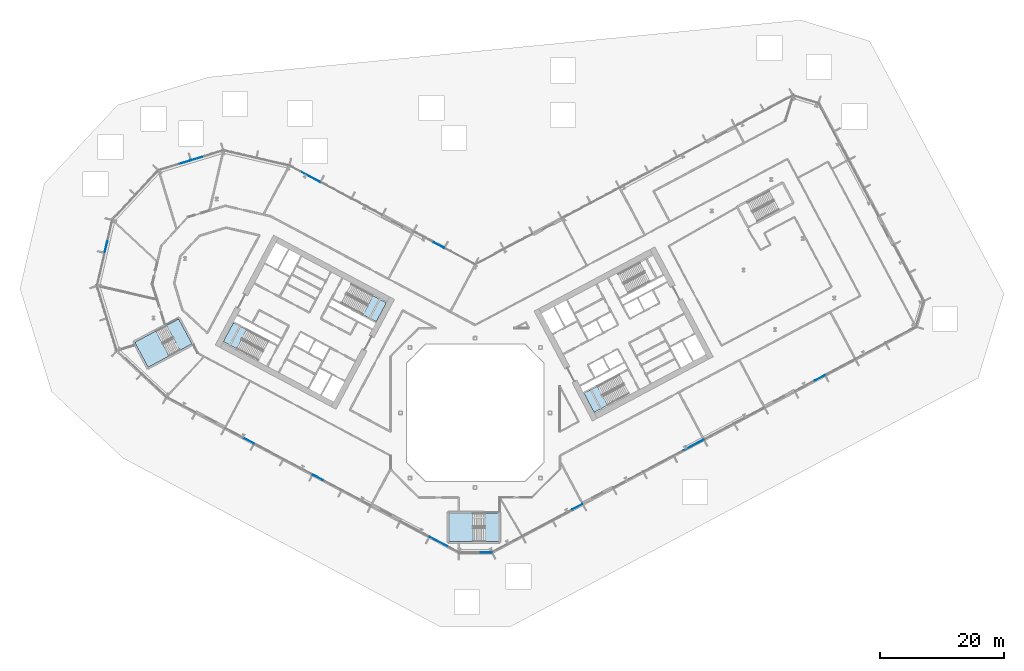
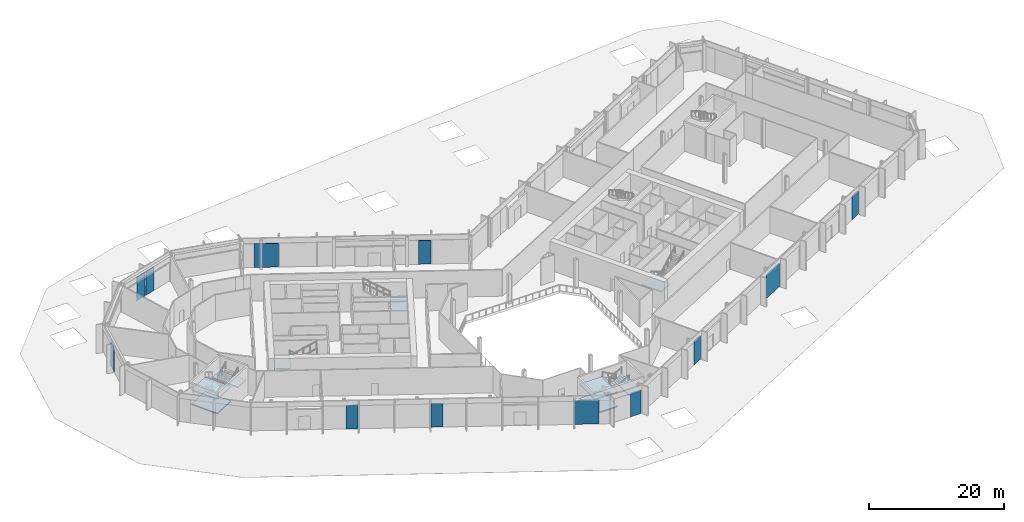
# One storey, part 9 of 30: 12 plates, 9 slabs, 11 elements without a shape of their own.
"""IFC4 building model written with IfcOpenShell, lengths in metres."""

from ifc_helpers import new_model, si_unit, direction, frame, origin, origin_2d, place, context, subcontext, project, spatial, polyline, rectangle, outline, extrude, material, layer, layer_set, type_object, element, aggregate, save


model = new_model("IFC4")

# Units and contexts
model_context = context("Model", 3, precision=1e-05, world=origin(), true_north=direction((0.0, 1.0)))
body_context = subcontext(model_context, "Body", "Model", "MODEL_VIEW")
ifc_project = project(units=[si_unit("LENGTHUNIT", "METRE"), si_unit("AREAUNIT", "SQUARE_METRE"), si_unit("VOLUMEUNIT", "CUBIC_METRE"), si_unit("PLANEANGLEUNIT", "RADIAN"), si_unit("MASSUNIT", "GRAM", prefix="KILO")], contexts=[model_context])

# Site, building, storey
site_placement = place(None, origin())
site = spatial("IfcSite", under=ifc_project, at=site_placement, CompositionType="ELEMENT")
building_placement = place(site_placement, origin())
building = spatial("IfcBuilding", under=site, at=building_placement, Name="Cormorant Relay Tower", CompositionType="ELEMENT")
storey_placement = place(building_placement, frame((0.0, 0.0, 7.0)))
storey = spatial("IfcBuildingStorey", under=building, at=storey_placement, Name="L01", CompositionType="ELEMENT", Elevation=7.0)

# Curtain wall, plate
ifc_material_1 = material(Name="Aluminium 6063-T6 anodised bronze", Category="aluminium")
ifc_layer_1 = layer(ifc_material_1, 0.235107421875)
ifc_layer_set_1 = layer_set([ifc_layer_1], Name="CW6 data hall curtain wall with mineral wool panels")
curtain_wall_type = type_object("IfcCurtainWallType", Name="CW6 data hall curtain wall with mineral wool panels", PredefinedType="NOTDEFINED", material=ifc_layer_set_1)
curtain_wall_1_placement = place(storey_placement, origin())
curtain_wall_1 = element("IfcCurtainWall", 1, at=curtain_wall_1_placement, inside=storey, type_object=curtain_wall_type, Name="CW6 curtain wall 1", PredefinedType="NOTDEFINED")
ifc_material_2 = material(Name="Tinted triple-glazed laminated unit")
ifc_layer_2 = layer(ifc_material_2, 0.074951171875)
ifc_layer_set_2 = layer_set([ifc_layer_2], Name="CW6 triple-glazed vision unit 1800 module")
plate_type_1 = type_object("IfcPlateType", Name="CW6 triple-glazed vision unit 1800 module", PredefinedType="CURTAIN_PANEL", material=ifc_layer_set_2)
plate_1_placement = place(storey_placement, frame((1.748779296875, -22.4130859375, 0.0), z_axis=(0.0, 0.0, 1.0), x_axis=(1.0, 0.0, 0.0)))
plate_1 = element("IfcPlate", 2, at=plate_1_placement, type_object=plate_type_1, Name="CW6 panel V01", PredefinedType="CURTAIN_PANEL", context=body_context, shape_type="SweptSolid", body=[
    extrude(rectangle(XDim=1.800048828125, YDim=0.074951171875, at=origin_2d()), origin(), (0.0, 0.0, 1.0), 4.300048828125),
])
aggregate(curtain_wall_1, [plate_1])

# Curtain wall, plates
curtain_wall_2_placement = place(storey_placement, origin())
curtain_wall_2 = element("IfcCurtainWall", 3, at=curtain_wall_2_placement, inside=storey, type_object=curtain_wall_type, Name="CW6 curtain wall 2", PredefinedType="NOTDEFINED")
plate_2_placement = place(storey_placement, frame((16.405517578125, -15.103515625, 0.0), z_axis=(0.0, 0.0, 1.0), x_axis=(0.882947592859, 0.469471562786, 0.0)))
plate_2 = element("IfcPlate", 4, at=plate_2_placement, type_object=plate_type_1, Name="CW6 panel V02", PredefinedType="CURTAIN_PANEL", context=body_context, shape_type="SweptSolid", body=[
    extrude(rectangle(XDim=1.800048828125, YDim=0.074951171875, at=origin_2d()), origin(), (0.0, 0.0, 1.0), 4.300048828125),
])
plate_3_placement = place(storey_placement, frame((55.339111328125, 5.597900390625, 0.0), z_axis=(0.0, 0.0, 1.0), x_axis=(0.882947592859, 0.469471562786, 0.0)))
plate_3 = element("IfcPlate", 5, at=plate_3_placement, type_object=plate_type_1, Name="CW6 panel V11", PredefinedType="CURTAIN_PANEL", context=body_context, shape_type="SweptSolid", body=[
    extrude(rectangle(XDim=1.800048828125, YDim=0.074951171875, at=origin_2d()), origin(), (0.0, 0.0, 1.0), 4.300048828125),
])

# Curtain wall, plate
curtain_wall_3_placement = place(storey_placement, origin())
curtain_wall_3 = element("IfcCurtainWall", 6, at=curtain_wall_3_placement, inside=storey, type_object=curtain_wall_type, Name="CW6 curtain wall 7", PredefinedType="NOTDEFINED")
plate_4_placement = place(storey_placement, frame((-5.822265625, 26.922119140625, 0.0), z_axis=(0.0, 0.0, 1.0), x_axis=(-0.882947592859, 0.469471562786, 0.0)))
plate_4 = element("IfcPlate", 7, at=plate_4_placement, type_object=plate_type_1, Name="CW6 panel V01", PredefinedType="CURTAIN_PANEL", context=body_context, shape_type="SweptSolid", body=[
    extrude(rectangle(XDim=1.800048828125, YDim=0.074951171875, at=origin_2d()), origin(), (0.0, 0.0, 1.0), 4.300048828125),
])

# Curtain wall, plates
curtain_wall_4_placement = place(storey_placement, origin())
curtain_wall_4 = element("IfcCurtainWall", 8, at=curtain_wall_4_placement, inside=storey, type_object=curtain_wall_type, Name="CW6 curtain wall 9", PredefinedType="NOTDEFINED")
plate_5_placement = place(storey_placement, frame((-44.74169921875, 40.84521484375, 0.0), z_axis=(0.0, 0.0, 1.0), x_axis=(-0.956304755963, -0.292371704723, 0.0)))
plate_5 = element("IfcPlate", 9, at=plate_5_placement, type_object=plate_type_1, Name="CW6 panel V01", PredefinedType="CURTAIN_PANEL", context=body_context, shape_type="SweptSolid", body=[
    extrude(rectangle(XDim=1.800048828125, YDim=0.074951171875, at=origin_2d()), origin(), (0.0, 0.0, 1.0), 4.300048828125),
])
plate_6_placement = place(storey_placement, frame((-46.606689453125, 40.275146484375, 0.0), z_axis=(0.0, 0.0, 1.0), x_axis=(-0.956304755963, -0.292371704723, 0.0)))
plate_6 = element("IfcPlate", 10, at=plate_6_placement, type_object=plate_type_1, Name="CW6 panel V02", PredefinedType="CURTAIN_PANEL", context=body_context, shape_type="SweptSolid", body=[
    extrude(rectangle(XDim=1.800048828125, YDim=0.074951171875, at=origin_2d()), origin(), (0.0, 0.0, 1.0), 4.300048828125),
])
aggregate(curtain_wall_4, [plate_5, plate_6])

# Curtain wall, plate
curtain_wall_5_placement = place(storey_placement, origin())
curtain_wall_5 = element("IfcCurtainWall", 11, at=curtain_wall_5_placement, inside=storey, type_object=curtain_wall_type, Name="CW6 curtain wall 11", PredefinedType="NOTDEFINED")
plate_7_placement = place(storey_placement, frame((-59.314453125, 26.647705078125, 0.0), z_axis=(0.0, 0.0, 1.0), x_axis=(-0.224951054344, -0.974370064785, 0.0)))
plate_7 = element("IfcPlate", 12, at=plate_7_placement, type_object=plate_type_1, Name="CW6 panel V01", PredefinedType="CURTAIN_PANEL", context=body_context, shape_type="SweptSolid", body=[
    extrude(rectangle(XDim=1.800048828125, YDim=0.074951171875, at=origin_2d()), origin(), (0.0, 0.0, 1.0), 4.300048828125),
])
aggregate(curtain_wall_5, [plate_7])

# Curtain wall, plates
curtain_wall_6_placement = place(storey_placement, origin())
curtain_wall_6 = element("IfcCurtainWall", 13, at=curtain_wall_6_placement, inside=storey, type_object=curtain_wall_type, Name="CW6 curtain wall 14", PredefinedType="NOTDEFINED")
plate_8_placement = place(storey_placement, frame((-36.38720703125, -4.47900390625, 0.0), z_axis=(0.0, 0.0, 1.0), x_axis=(0.882947592859, -0.469471562786, 0.0)))
plate_8 = element("IfcPlate", 14, at=plate_8_placement, type_object=plate_type_1, Name="CW6 panel V03", PredefinedType="CURTAIN_PANEL", context=body_context, shape_type="SweptSolid", body=[
    extrude(rectangle(XDim=1.800048828125, YDim=0.074951171875, at=origin_2d()), origin(), (0.0, 0.0, 1.0), 4.300048828125),
])
plate_9_placement = place(storey_placement, frame((-25.27685546875, -10.386474609375, 0.0), z_axis=(0.0, 0.0, 1.0), x_axis=(0.882947592859, -0.469471562786, 0.0)))
plate_9 = element("IfcPlate", 15, at=plate_9_placement, type_object=plate_type_1, Name="CW6 panel V05", PredefinedType="CURTAIN_PANEL", context=body_context, shape_type="SweptSolid", body=[
    extrude(rectangle(XDim=1.800048828125, YDim=0.074951171875, at=origin_2d()), origin(), (0.0, 0.0, 1.0), 4.300048828125),
])

# Plate
ifc_material_3 = material(Name="Tinted triple-glazed laminated unit")
ifc_layer_3 = layer(ifc_material_3, 0.074951171875)
ifc_layer_set_3 = layer_set([ifc_layer_3], Name="CW6 triple-glazed vision unit 3600 module")
plate_type_2 = type_object("IfcPlateType", Name="CW6 triple-glazed vision unit 3600 module", PredefinedType="CURTAIN_PANEL", material=ifc_layer_set_3)
plate_10_placement = place(storey_placement, frame((35.07763671875, -5.17529296875, 0.0), z_axis=(0.0, 0.0, 1.0), x_axis=(0.882947592859, 0.469471562786, 0.0)))
plate_10 = element("IfcPlate", 16, at=plate_10_placement, type_object=plate_type_2, Name="CW6 panel V06", PredefinedType="CURTAIN_PANEL", context=body_context, shape_type="SweptSolid", body=[
    extrude(rectangle(XDim=3.60009765625, YDim=0.074951171875, at=origin_2d()), origin(), (0.0, 0.0, 1.0), 4.300048828125),
])

aggregate(curtain_wall_2, [plate_2, plate_10, plate_3])

plate_11_placement = place(storey_placement, frame((-26.53271484375, 37.93408203125, 0.0), z_axis=(0.0, 0.0, 1.0), x_axis=(-0.882947592859, 0.469471562786, 0.0)))
plate_11 = element("IfcPlate", 17, at=plate_11_placement, type_object=plate_type_2, Name="CW6 panel V06", PredefinedType="CURTAIN_PANEL", context=body_context, shape_type="SweptSolid", body=[
    extrude(rectangle(XDim=3.60009765625, YDim=0.074951171875, at=origin_2d()), origin(), (0.0, 0.0, 1.0), 4.300048828125),
])

aggregate(curtain_wall_3, [plate_4, plate_11])

plate_12_placement = place(storey_placement, frame((-5.705078125, -20.79296875, 0.0), z_axis=(0.0, 0.0, 1.0), x_axis=(0.882947592859, -0.469471562786, 0.0)))
plate_12 = element("IfcPlate", 18, at=plate_12_placement, type_object=plate_type_2, Name="CW6 panel V09", PredefinedType="CURTAIN_PANEL", context=body_context, shape_type="SweptSolid", body=[
    extrude(rectangle(XDim=3.60009765625, YDim=0.074951171875, at=origin_2d()), origin(), (0.0, 0.0, 1.0), 4.300048828125),
])

aggregate(curtain_wall_6, [plate_8, plate_9, plate_12])

# Stair, slab
ifc_material_4 = material(Name="Concrete 40 MPa", Category="concrete")
stair_type_1 = type_object("IfcStairType", Name="Exit stair 1500", PredefinedType="HALF_TURN_STAIR", material=ifc_material_4)
stair_1_placement = place(storey_placement, origin())
stair_1 = element("IfcStair", 19, at=stair_1_placement, inside=storey, type_object=stair_type_1, Name="L01 Stair", PredefinedType="HALF_TURN_STAIR")
ifc_material_5 = material(Name="Concrete 40 MPa", Category="concrete")
ifc_layer_4 = layer(ifc_material_5, 0.199951171875)
ifc_layer_set_4 = layer_set([ifc_layer_4], Name="Exit stair landing 200")
slab_type = type_object("IfcSlabType", Name="Exit stair landing 200", PredefinedType="LANDING", material=ifc_layer_set_4)
slab_1_placement = place(storey_placement, frame((0.0, 0.0, 2.39990234375)))
slab_1 = element("IfcSlab", 20, at=slab_1_placement, type_object=slab_type, Name="A1 landing 1", PredefinedType="LANDING", context=body_context, shape_type="SweptSolid", body=[
    extrude(outline(polyline([(-18.04052734375, 15.764892578125), (-15.89501953125, 14.6240234375), (-14.275390625, 17.670166015625), (-16.4208984375, 18.81103515625), (-18.04052734375, 15.764892578125)])), origin(), (0.0, 0.0, 1.0), 0.2001953125),
])
aggregate(stair_1, [slab_1])

stair_2_placement = place(storey_placement, origin())
stair_2 = element("IfcStair", 21, at=stair_2_placement, inside=storey, type_object=stair_type_1, Name="L01 Stair", PredefinedType="HALF_TURN_STAIR")
slab_2_placement = place(storey_placement, frame((0.0, 0.0, 2.39990234375)))
slab_2 = element("IfcSlab", 22, at=slab_2_placement, type_object=slab_type, Name="A2 landing 1", PredefinedType="LANDING", context=body_context, shape_type="SweptSolid", body=[
    extrude(outline(polyline([(-36.7021484375, 13.34228515625), (-38.84765625, 14.483154296875), (-40.467529296875, 11.43701171875), (-38.32177734375, 10.296142578125), (-36.7021484375, 13.34228515625)])), origin(), (0.0, 0.0, 1.0), 0.2001953125),
])
aggregate(stair_2, [slab_2])

stair_3_placement = place(storey_placement, origin())
stair_3 = element("IfcStair", 23, at=stair_3_placement, inside=storey, type_object=stair_type_1, Name="L01 Stair", PredefinedType="HALF_TURN_STAIR")
slab_3_placement = place(storey_placement, frame((0.0, 0.0, 2.39990234375)))
slab_3 = element("IfcSlab", 24, at=slab_3_placement, type_object=slab_type, Name="B1 landing 1", PredefinedType="LANDING", context=body_context, shape_type="SweptSolid", body=[
    extrude(outline(polyline([(19.6259765625, 4.262939453125), (17.48046875, 3.1220703125), (19.10009765625, 0.075927734375), (21.24560546875, 1.216552734375), (19.6259765625, 4.262939453125)])), origin(), (0.0, 0.0, 1.0), 0.2001953125),
])
aggregate(stair_3, [slab_3])

# Stair, slabs
ifc_material_6 = material(Name="Concrete 40 MPa", Category="concrete")
stair_type_2 = type_object("IfcStairType", Name="Remote exit stair 2200", PredefinedType="HALF_TURN_STAIR", material=ifc_material_6)
stair_4_placement = place(storey_placement, origin())
stair_4 = element("IfcStair", 25, at=stair_4_placement, inside=storey, type_object=stair_type_2, Name="L01 Stair", PredefinedType="HALF_TURN_STAIR")
slab_4_placement = place(storey_placement, frame((0.0, 0.0, 1.10009765625)))
slab_4 = element("IfcSlab", 26, at=slab_4_placement, type_object=slab_type, Name="RK1 landing 1", PredefinedType="LANDING", context=body_context, shape_type="SweptSolid", body=[
    extrude(outline(polyline([(-0.360107421875, -16.125), (-4.199951171875, -16.125), (-4.199951171875, -20.675048828125), (-0.360107421875, -20.675048828125), (-0.360107421875, -16.125)])), origin(), (0.0, 0.0, 1.0), 0.199951171875),
])
slab_5_placement = place(storey_placement, frame((0.0, 0.0, 2.39990234375)))
slab_5 = element("IfcSlab", 27, at=slab_5_placement, type_object=slab_type, Name="RK1 landing 2", PredefinedType="LANDING", context=body_context, shape_type="SweptSolid", body=[
    extrude(outline(polyline([(3.800048828125, -16.125), (1.60009765625, -16.125), (1.60009765625, -20.675048828125), (3.800048828125, -20.675048828125), (3.800048828125, -16.125)])), origin(), (0.0, 0.0, 1.0), 0.2001953125),
])
slab_6_placement = place(storey_placement, frame((0.0, 0.0, 3.699951171875)))
slab_6 = element("IfcSlab", 28, at=slab_6_placement, type_object=slab_type, Name="RK1 landing 3", PredefinedType="LANDING", context=body_context, shape_type="SweptSolid", body=[
    extrude(outline(polyline([(-0.360107421875, -16.125), (-4.199951171875, -16.125), (-4.199951171875, -20.675048828125), (-0.360107421875, -20.675048828125), (-0.360107421875, -16.125)])), origin(), (0.0, 0.0, 1.0), 0.199951171875),
])
aggregate(stair_4, [slab_4, slab_5, slab_6])

stair_5_placement = place(storey_placement, origin())
stair_5 = element("IfcStair", 29, at=stair_5_placement, inside=storey, type_object=stair_type_2, Name="L01 Stair", PredefinedType="HALF_TURN_STAIR")
slab_7_placement = place(storey_placement, frame((0.0, 0.0, 1.10009765625)))
slab_7 = element("IfcSlab", 30, at=slab_7_placement, type_object=slab_type, Name="RP1 landing 1", PredefinedType="LANDING", context=body_context, shape_type="SweptSolid", body=[
    extrude(outline(polyline([(-51.309326171875, 13.133544921875), (-54.699951171875, 11.330810546875), (-52.563720703125, 7.3134765625), (-49.17333984375, 9.1162109375), (-51.309326171875, 13.133544921875)])), origin(), (0.0, 0.0, 1.0), 0.199951171875),
])
slab_8_placement = place(storey_placement, frame((0.0, 0.0, 2.39990234375)))
slab_8 = element("IfcSlab", 31, at=slab_8_placement, type_object=slab_type, Name="RP1 landing 2", PredefinedType="LANDING", context=body_context, shape_type="SweptSolid", body=[
    extrude(outline(polyline([(-47.63623046875, 15.086669921875), (-49.578857421875, 14.0537109375), (-47.442626953125, 10.036376953125), (-45.500244140625, 11.069091796875), (-47.63623046875, 15.086669921875)])), origin(), (0.0, 0.0, 1.0), 0.2001953125),
])
slab_9_placement = place(storey_placement, frame((0.0, 0.0, 3.699951171875)))
slab_9 = element("IfcSlab", 32, at=slab_9_placement, type_object=slab_type, Name="RP1 landing 3", PredefinedType="LANDING", context=body_context, shape_type="SweptSolid", body=[
    extrude(outline(polyline([(-51.309326171875, 13.133544921875), (-54.699951171875, 11.330810546875), (-52.563720703125, 7.3134765625), (-49.17333984375, 9.1162109375), (-51.309326171875, 13.133544921875)])), origin(), (0.0, 0.0, 1.0), 0.199951171875),
])
aggregate(stair_5, [slab_7, slab_8, slab_9])

save(model, "model.ifc")
